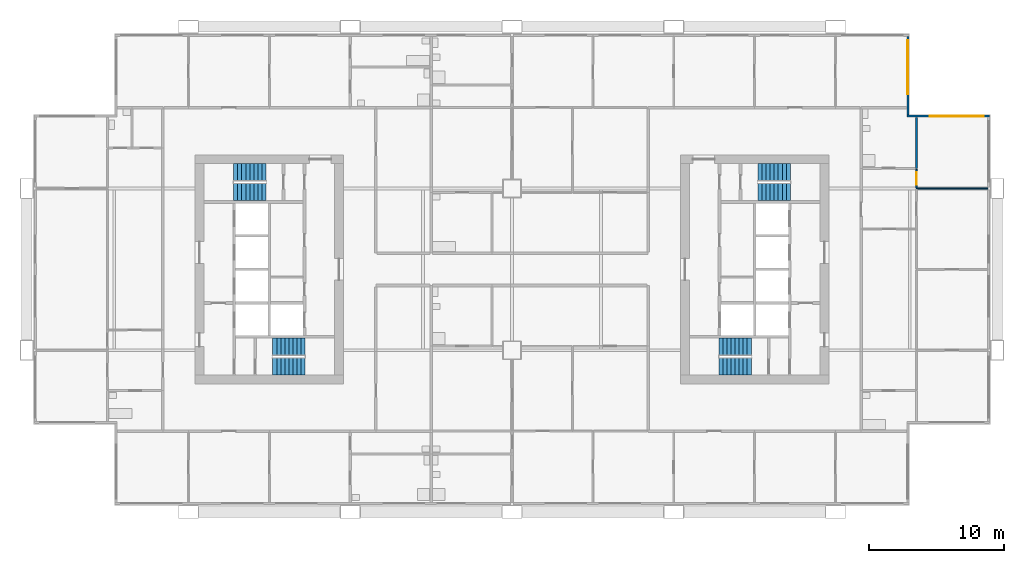
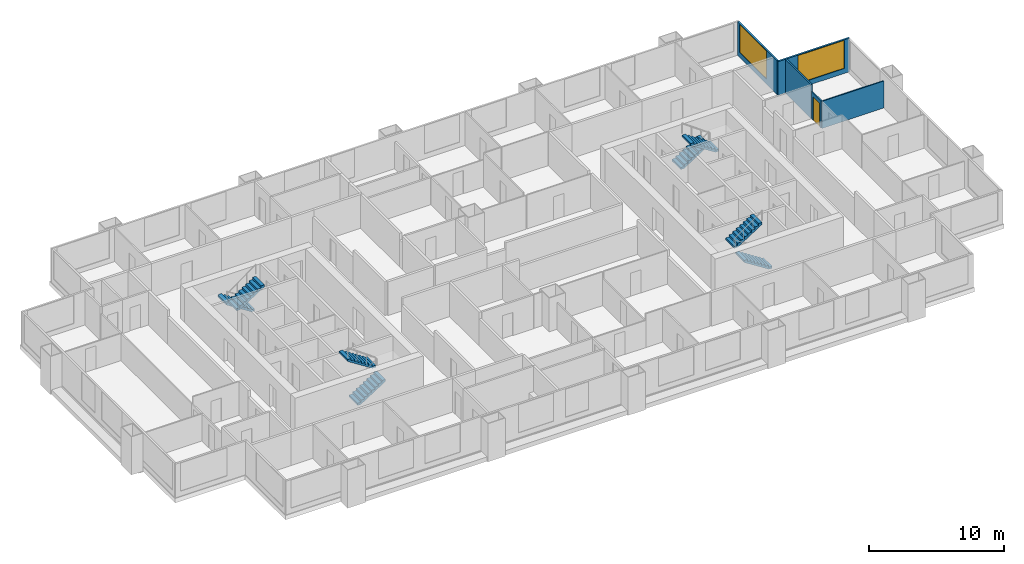
# One storey, part 9 of 11: 8 stair flights, 5 walls, 2 windows, 1 door, 3 openings, 4 elements without a shape of their own.
"""IFC4 building model written with IfcOpenShell, lengths in metres."""

from ifc_helpers import new_model, si_unit, direction, frame, frame_2d, origin, place, context, subcontext, project, spatial, polyline, rectangle, outline, extrude, material, layer, layer_set, type_object, element, fill, aggregate, save


model = new_model("IFC4")

# Units and contexts
model_context = context("Model", 3, precision=1e-05, world=origin(), true_north=direction((0.0, 1.0)))
body_context = subcontext(model_context, "Body", "Model", "MODEL_VIEW")
ifc_project = project(units=[si_unit("LENGTHUNIT", "METRE"), si_unit("AREAUNIT", "SQUARE_METRE"), si_unit("VOLUMEUNIT", "CUBIC_METRE"), si_unit("PLANEANGLEUNIT", "RADIAN"), si_unit("MASSUNIT", "GRAM", prefix="KILO")], contexts=[model_context])

# Site, building, storey
site_placement = place(None, origin())
site = spatial("IfcSite", under=ifc_project, at=site_placement, CompositionType="ELEMENT")
building_placement = place(site_placement, origin())
building = spatial("IfcBuilding", under=site, at=building_placement, Name="Kitamizu Gate Tower and Museum", CompositionType="ELEMENT")
storey_placement = place(building_placement, frame((0.0, 0.0, 110.39990234375)))
storey = spatial("IfcBuildingStorey", under=building, at=storey_placement, Name="L28", CompositionType="ELEMENT", Elevation=110.39990234375)

# Wall
ifc_material_1 = material(Name="Gypsum board on galvanised stud")
ifc_layer_1 = layer(ifc_material_1, 0.10009765625)
ifc_layer_set_1 = layer_set([ifc_layer_1], Name="Gypsum board on galvanised stud")
wall_type_1 = type_object("IfcWallType", Name="Partition 100 NOT RATED", PredefinedType="PARTITIONING", material=ifc_layer_set_1)
wall_1_placement = place(storey_placement, frame((71.280029296875, 36.0, 0.0), z_axis=(0.0, 0.0, 1.0), x_axis=(-1.0, 0.0, 0.0)))
element("IfcWall", 1, at=wall_1_placement, inside=storey, type_object=wall_type_1, Name="Partition L28-073", PredefinedType="PARTITIONING", context=body_context, shape_type="SweptSolid", body=[
    extrude(rectangle(XDim=5.280029296875, YDim=0.10009765625, at=frame_2d((2.64013671875, 0.0))), origin(), (0.0, 0.0, 1.0), 2.4501953125),
])

# Wall, opening, door
wall_2_placement = place(storey_placement, frame((66.0, 37.425048828125, 0.0), z_axis=(0.0, 0.0, 1.0), x_axis=(0.0, -1.0, 0.0)))
wall_2 = element("IfcWall", 2, at=wall_2_placement, inside=storey, type_object=wall_type_1, Name="Partition L28-076", PredefinedType="PARTITIONING", context=body_context, shape_type="SweptSolid", body=[
    extrude(rectangle(XDim=1.375, YDim=0.10009765625, at=frame_2d((0.6875, 0.0))), origin(), (0.0, 0.0, 1.0), 2.4501953125),
])
opening_1_placement = place(wall_2_placement, frame((0.237548828125, 0.0, 0.0)))
opening_1 = element("IfcOpeningElement", 3, at=opening_1_placement, cuts=wall_2, Name="Opening L28-028", PredefinedType="OPENING", context=body_context, shape_type="SweptSolid", body=[
    extrude(rectangle(XDim=0.89990234375, YDim=2.10009765625, at=frame_2d((0.449951171875, 1.050048828125))), frame((0.0, 0.06005859375, 0.0), z_axis=(0.0, -1.0, 0.0), x_axis=(1.0, 0.0, 0.0)), (0.0, 0.0, 1.0), 0.1201171875),
])
ifc_material_2 = material(Name="Timber door set", Category="wood")
door_type = type_object("IfcDoorType", Name="Room door 900", OperationType="NOTDEFINED", PredefinedType="DOOR", material=ifc_material_2)
door_placement = place(opening_1_placement, origin())
door = element("IfcDoor", 4, at=door_placement, inside=storey, type_object=door_type, Name="Door L28-028", OperationType="SINGLE_SWING_LEFT", OverallHeight=2.10009765625, OverallWidth=0.89990234375, PredefinedType="DOOR", context=body_context, shape_type="SweptSolid", body=[
    extrude(rectangle(XDim=0.89990234375, YDim=2.10009765625, at=frame_2d((0.449951171875, 1.050048828125))), frame((0.0, 0.02490234375, 0.0), z_axis=(0.0, -1.0, 0.0), x_axis=(1.0, 0.0, 0.0)), (0.0, 0.0, 1.0), 0.050048828125),
])
fill(opening_1, door)

# Wall
ifc_material_3 = material(Name="Gypsum board on galvanised stud")
ifc_layer_2 = layer(ifc_material_3, 0.14990234375)
ifc_layer_set_2 = layer_set([ifc_layer_2], Name="Gypsum board on galvanised stud")
wall_type_2 = type_object("IfcWallType", Name="Partition 150", PredefinedType="PARTITIONING", material=ifc_layer_set_2)
wall_3_placement = place(storey_placement, frame((66.0, 41.280029296875, 0.0), z_axis=(0.0, 0.0, 1.0), x_axis=(0.0, -1.0, 0.0)))
element("IfcWall", 5, at=wall_3_placement, inside=storey, type_object=wall_type_2, Name="Partition L28-077", PredefinedType="PARTITIONING", context=body_context, shape_type="SweptSolid", body=[
    extrude(rectangle(XDim=3.780029296875, YDim=0.14990234375, at=frame_2d((1.89013671875, 0.0))), origin(), (0.0, 0.0, 1.0), 3.050048828125),
])

# Wall, opening, window
ifc_material_4 = material(Name="Bronze anodised aluminium frame with insulated spandrel and tinted glass", Category="aluminium")
ifc_layer_3 = layer(ifc_material_4, 0.14990234375)
ifc_layer_set_3 = layer_set([ifc_layer_3], Name="Bronze anodised aluminium frame with insulated spandrel and tinted glass")
wall_type_3 = type_object("IfcWallType", Name="WINDOW WALL 150 BRONZE FRAME EI 30", PredefinedType="ELEMENTEDWALL", material=ifc_layer_set_3)
wall_4_placement = place(storey_placement, frame((65.2900390625, 41.364990234375, 0.0), z_axis=(0.0, 0.0, 1.0), x_axis=(1.0, 0.0, 0.0)))
wall_4 = element("IfcWall", 6, at=wall_4_placement, inside=storey, type_object=wall_type_3, Name="Window wall north L28", PredefinedType="ELEMENTEDWALL", context=body_context, shape_type="SweptSolid", body=[
    extrude(rectangle(XDim=6.14990234375, YDim=0.14990234375, at=frame_2d((3.074951171875, 0.0))), origin(), (0.0, 0.0, 1.0), 3.050048828125),
])
opening_2_placement = place(wall_4_placement, frame((1.7099609375, 0.0, 0.449951171875)))
opening_2 = element("IfcOpeningElement", 7, at=opening_2_placement, cuts=wall_4, Name="Opening W16", PredefinedType="OPENING", context=body_context, shape_type="SweptSolid", body=[
    extrude(rectangle(XDim=4.0, YDim=2.550048828125, at=frame_2d((2.0, 1.27490234375))), frame((0.0, 0.0849609375, 0.0), z_axis=(0.0, -1.0, 0.0), x_axis=(1.0, 0.0, 0.0)), (0.0, 0.0, 1.0), 0.169921875),
])
ifc_material_5 = material(Name="Bronze anodised aluminium frame, tinted triple glazing", Category="aluminium")
window_type = type_object("IfcWindowType", Name="WINDOW 4000 x 2550 SILL 450", PartitioningType="SINGLE_PANEL", PredefinedType="WINDOW", material=ifc_material_5)
window_1_placement = place(opening_2_placement, origin())
window_1 = element("IfcWindow", 8, at=window_1_placement, inside=storey, type_object=window_type, Name="Window W16 L28", OverallHeight=2.550048828125, OverallWidth=4.0, PartitioningType="SINGLE_PANEL", PredefinedType="WINDOW", context=body_context, shape_type="SweptSolid", body=[
    extrude(rectangle(XDim=4.0, YDim=2.550048828125, at=frame_2d((2.0, 1.27490234375))), frame((0.0, 0.030029296875, 0.0), z_axis=(0.0, -1.0, 0.0), x_axis=(1.0, 0.0, 0.0)), (0.0, 0.0, 1.0), 0.06005859375),
])
fill(opening_2, window_1)

wall_5_placement = place(storey_placement, frame((65.364990234375, 41.43994140625, 0.0), z_axis=(0.0, 0.0, 1.0), x_axis=(0.0, 1.0, 0.0)))
wall_5 = element("IfcWall", 9, at=wall_5_placement, inside=storey, type_object=wall_type_3, Name="Window wall east L28", PredefinedType="ELEMENTEDWALL", context=body_context, shape_type="SweptSolid", body=[
    extrude(rectangle(XDim=5.85009765625, YDim=0.14990234375, at=frame_2d((2.925048828125, 0.0))), origin(), (0.0, 0.0, 1.0), 3.050048828125),
])
opening_3_placement = place(wall_5_placement, frame((1.56005859375, 0.0, 0.449951171875)))
opening_3 = element("IfcOpeningElement", 10, at=opening_3_placement, cuts=wall_5, Name="Opening W16", PredefinedType="OPENING", context=body_context, shape_type="SweptSolid", body=[
    extrude(rectangle(XDim=4.0, YDim=2.550048828125, at=frame_2d((2.0, 1.27490234375))), frame((0.0, 0.0849609375, 0.0), z_axis=(0.0, -1.0, 0.0), x_axis=(1.0, 0.0, 0.0)), (0.0, 0.0, 1.0), 0.169921875),
])
window_2_placement = place(opening_3_placement, origin())
window_2 = element("IfcWindow", 11, at=window_2_placement, inside=storey, type_object=window_type, Name="Window W16 L28", OverallHeight=2.550048828125, OverallWidth=4.0, PartitioningType="SINGLE_PANEL", PredefinedType="WINDOW", context=body_context, shape_type="SweptSolid", body=[
    extrude(rectangle(XDim=4.0, YDim=2.550048828125, at=frame_2d((2.0, 1.27490234375))), frame((0.0, 0.030029296875, 0.0), z_axis=(0.0, -1.0, 0.0), x_axis=(1.0, 0.0, 0.0)), (0.0, 0.0, 1.0), 0.06005859375),
])
fill(opening_3, window_2)

# Stair, stair flights
ifc_material_6 = material(Name="Concrete Fc42", Category="concrete")
stair_type = type_object("IfcStairType", Name="Exit stair 1275 wide 192 rise 300 going", PredefinedType="HALF_TURN_STAIR", material=ifc_material_6)
stair_1_placement = place(storey_placement, origin())
stair_1 = element("IfcStair", 12, at=stair_1_placement, inside=storey, type_object=stair_type, Name="Exit stair ST1", PredefinedType="HALF_TURN_STAIR")
ifc_material_7 = material(Name="Concrete Fc42", Category="concrete")
stair_flight_type = type_object("IfcStairFlightType", Name="Stair flight 1275 wide 192 rise 300 going", PredefinedType="STRAIGHT", material=ifc_material_7)
stair_flight_1_placement = place(storey_placement, frame((18.25, 22.78759765625, 0.0), z_axis=(0.0, 0.0, 1.0), x_axis=(1.0, 0.0, 0.0)))
stair_flight_1 = element("IfcStairFlight", 13, at=stair_flight_1_placement, type_object=stair_flight_type, Name="ST1 flight 1", NumberOfRisers=9, NumberOfTreads=8, PredefinedType="STRAIGHT", RiserHeight=0.191666667, TreadLength=0.3, context=body_context, shape_type="SweptSolid", body=[
    extrude(outline(polyline([(0.0, 0.0), (0.0, 0.191650390625), (0.300048828125, 0.191650390625), (0.300048828125, 0.38330078125), (0.60009765625, 0.38330078125), (0.60009765625, 0.574951171875), (0.89990234375, 0.574951171875), (0.89990234375, 0.7666015625), (1.199951171875, 0.7666015625), (1.199951171875, 0.958251953125), (1.5, 0.958251953125), (1.5, 1.14990234375), (1.800048828125, 1.14990234375), (1.800048828125, 1.341552734375), (2.10009765625, 1.341552734375), (2.10009765625, 1.533447265625), (2.39990234375, 1.533447265625), (2.39990234375, 1.72509765625), (2.39990234375, 1.35546875), (0.2783203125, 0.0), (0.0, 0.0)])), frame((0.0, 0.637451171875, 0.0), z_axis=(0.0, -1.0, 0.0), x_axis=(1.0, 0.0, 0.0)), (0.0, 0.0, 1.0), 1.27490234375),
])
stair_flight_2_placement = place(storey_placement, frame((20.64990234375, 24.262451171875, 1.72509765625), z_axis=(0.0, 0.0, 1.0), x_axis=(-1.0, 0.0, 0.0)))
stair_flight_2 = element("IfcStairFlight", 14, at=stair_flight_2_placement, type_object=stair_flight_type, Name="ST1 flight 2", NumberOfRisers=9, NumberOfTreads=8, PredefinedType="STRAIGHT", RiserHeight=0.191666667, TreadLength=0.3, context=body_context, shape_type="SweptSolid", body=[
    extrude(outline(polyline([(0.0, 0.0), (0.0, 0.191650390625), (0.300048828125, 0.191650390625), (0.300048828125, 0.38330078125), (0.60009765625, 0.38330078125), (0.60009765625, 0.574951171875), (0.89990234375, 0.574951171875), (0.89990234375, 0.7666015625), (1.199951171875, 0.7666015625), (1.199951171875, 0.958251953125), (1.5, 0.958251953125), (1.5, 1.14990234375), (1.800048828125, 1.14990234375), (1.800048828125, 1.341552734375), (2.10009765625, 1.341552734375), (2.10009765625, 1.533447265625), (2.39990234375, 1.533447265625), (2.39990234375, 1.72509765625), (2.39990234375, 1.35546875), (0.2783203125, 0.0), (0.0, 0.0)])), frame((0.0, 0.637451171875, 0.0), z_axis=(0.0, -1.0, 0.0), x_axis=(1.0, 0.0, 0.0)), (0.0, 0.0, 1.0), 1.27490234375),
])
aggregate(stair_1, [stair_flight_1, stair_flight_2])

stair_2_placement = place(storey_placement, origin())
stair_2 = element("IfcStair", 15, at=stair_2_placement, inside=storey, type_object=stair_type, Name="Exit stair ST2", PredefinedType="HALF_TURN_STAIR")
stair_flight_3_placement = place(storey_placement, frame((17.75, 37.21240234375, 0.0), z_axis=(0.0, 0.0, 1.0), x_axis=(-1.0, 0.0, 0.0)))
stair_flight_3 = element("IfcStairFlight", 16, at=stair_flight_3_placement, type_object=stair_flight_type, Name="ST2 flight 1", NumberOfRisers=9, NumberOfTreads=8, PredefinedType="STRAIGHT", RiserHeight=0.191666667, TreadLength=0.3, context=body_context, shape_type="SweptSolid", body=[
    extrude(outline(polyline([(0.0, 0.0), (0.0, 0.191650390625), (0.300048828125, 0.191650390625), (0.300048828125, 0.38330078125), (0.60009765625, 0.38330078125), (0.60009765625, 0.574951171875), (0.89990234375, 0.574951171875), (0.89990234375, 0.7666015625), (1.199951171875, 0.7666015625), (1.199951171875, 0.958251953125), (1.5, 0.958251953125), (1.5, 1.14990234375), (1.800048828125, 1.14990234375), (1.800048828125, 1.341552734375), (2.10009765625, 1.341552734375), (2.10009765625, 1.533447265625), (2.39990234375, 1.533447265625), (2.39990234375, 1.72509765625), (2.39990234375, 1.35546875), (0.2783203125, 0.0), (0.0, 0.0)])), frame((0.0, 0.637451171875, 0.0), z_axis=(0.0, -1.0, 0.0), x_axis=(1.0, 0.0, 0.0)), (0.0, 0.0, 1.0), 1.27490234375),
])
stair_flight_4_placement = place(storey_placement, frame((15.35009765625, 35.737548828125, 1.72509765625), z_axis=(0.0, 0.0, 1.0), x_axis=(1.0, 0.0, 0.0)))
stair_flight_4 = element("IfcStairFlight", 17, at=stair_flight_4_placement, type_object=stair_flight_type, Name="ST2 flight 2", NumberOfRisers=9, NumberOfTreads=8, PredefinedType="STRAIGHT", RiserHeight=0.191666667, TreadLength=0.3, context=body_context, shape_type="SweptSolid", body=[
    extrude(outline(polyline([(0.0, 0.0), (0.0, 0.191650390625), (0.300048828125, 0.191650390625), (0.300048828125, 0.38330078125), (0.60009765625, 0.38330078125), (0.60009765625, 0.574951171875), (0.89990234375, 0.574951171875), (0.89990234375, 0.7666015625), (1.199951171875, 0.7666015625), (1.199951171875, 0.958251953125), (1.5, 0.958251953125), (1.5, 1.14990234375), (1.800048828125, 1.14990234375), (1.800048828125, 1.341552734375), (2.10009765625, 1.341552734375), (2.10009765625, 1.533447265625), (2.39990234375, 1.533447265625), (2.39990234375, 1.72509765625), (2.39990234375, 1.35546875), (0.2783203125, 0.0), (0.0, 0.0)])), frame((0.0, 0.637451171875, 0.0), z_axis=(0.0, -1.0, 0.0), x_axis=(1.0, 0.0, 0.0)), (0.0, 0.0, 1.0), 1.27490234375),
])
aggregate(stair_2, [stair_flight_3, stair_flight_4])

stair_3_placement = place(storey_placement, origin())
stair_3 = element("IfcStair", 18, at=stair_3_placement, inside=storey, type_object=stair_type, Name="Exit stair ST3", PredefinedType="HALF_TURN_STAIR")
stair_flight_5_placement = place(storey_placement, frame((53.75, 22.78759765625, 0.0), z_axis=(0.0, 0.0, 1.0), x_axis=(-1.0, 0.0, 0.0)))
stair_flight_5 = element("IfcStairFlight", 19, at=stair_flight_5_placement, type_object=stair_flight_type, Name="ST3 flight 1", NumberOfRisers=9, NumberOfTreads=8, PredefinedType="STRAIGHT", RiserHeight=0.191666667, TreadLength=0.3, context=body_context, shape_type="SweptSolid", body=[
    extrude(outline(polyline([(0.0, 0.0), (0.0, 0.191650390625), (0.300048828125, 0.191650390625), (0.300048828125, 0.38330078125), (0.60009765625, 0.38330078125), (0.60009765625, 0.574951171875), (0.89990234375, 0.574951171875), (0.89990234375, 0.7666015625), (1.199951171875, 0.7666015625), (1.199951171875, 0.958251953125), (1.5, 0.958251953125), (1.5, 1.14990234375), (1.800048828125, 1.14990234375), (1.800048828125, 1.341552734375), (2.10009765625, 1.341552734375), (2.10009765625, 1.533447265625), (2.39990234375, 1.533447265625), (2.39990234375, 1.72509765625), (2.39990234375, 1.35546875), (0.2783203125, 0.0), (0.0, 0.0)])), frame((0.0, 0.637451171875, 0.0), z_axis=(0.0, -1.0, 0.0), x_axis=(1.0, 0.0, 0.0)), (0.0, 0.0, 1.0), 1.27490234375),
])
stair_flight_6_placement = place(storey_placement, frame((51.35009765625, 24.262451171875, 1.72509765625), z_axis=(0.0, 0.0, 1.0), x_axis=(1.0, 0.0, 0.0)))
stair_flight_6 = element("IfcStairFlight", 20, at=stair_flight_6_placement, type_object=stair_flight_type, Name="ST3 flight 2", NumberOfRisers=9, NumberOfTreads=8, PredefinedType="STRAIGHT", RiserHeight=0.191666667, TreadLength=0.3, context=body_context, shape_type="SweptSolid", body=[
    extrude(outline(polyline([(0.0, 0.0), (0.0, 0.191650390625), (0.300048828125, 0.191650390625), (0.300048828125, 0.38330078125), (0.60009765625, 0.38330078125), (0.60009765625, 0.574951171875), (0.89990234375, 0.574951171875), (0.89990234375, 0.7666015625), (1.199951171875, 0.7666015625), (1.199951171875, 0.958251953125), (1.5, 0.958251953125), (1.5, 1.14990234375), (1.800048828125, 1.14990234375), (1.800048828125, 1.341552734375), (2.10009765625, 1.341552734375), (2.10009765625, 1.533447265625), (2.39990234375, 1.533447265625), (2.39990234375, 1.72509765625), (2.39990234375, 1.35546875), (0.2783203125, 0.0), (0.0, 0.0)])), frame((0.0, 0.637451171875, 0.0), z_axis=(0.0, -1.0, 0.0), x_axis=(1.0, 0.0, 0.0)), (0.0, 0.0, 1.0), 1.27490234375),
])
aggregate(stair_3, [stair_flight_5, stair_flight_6])

stair_4_placement = place(storey_placement, origin())
stair_4 = element("IfcStair", 21, at=stair_4_placement, inside=storey, type_object=stair_type, Name="Exit stair ST4", PredefinedType="HALF_TURN_STAIR")
stair_flight_7_placement = place(storey_placement, frame((54.25, 37.21240234375, 0.0), z_axis=(0.0, 0.0, 1.0), x_axis=(1.0, 0.0, 0.0)))
stair_flight_7 = element("IfcStairFlight", 22, at=stair_flight_7_placement, type_object=stair_flight_type, Name="ST4 flight 1", NumberOfRisers=9, NumberOfTreads=8, PredefinedType="STRAIGHT", RiserHeight=0.191666667, TreadLength=0.3, context=body_context, shape_type="SweptSolid", body=[
    extrude(outline(polyline([(0.0, 0.0), (0.0, 0.191650390625), (0.300048828125, 0.191650390625), (0.300048828125, 0.38330078125), (0.60009765625, 0.38330078125), (0.60009765625, 0.574951171875), (0.89990234375, 0.574951171875), (0.89990234375, 0.7666015625), (1.199951171875, 0.7666015625), (1.199951171875, 0.958251953125), (1.5, 0.958251953125), (1.5, 1.14990234375), (1.800048828125, 1.14990234375), (1.800048828125, 1.341552734375), (2.10009765625, 1.341552734375), (2.10009765625, 1.533447265625), (2.39990234375, 1.533447265625), (2.39990234375, 1.72509765625), (2.39990234375, 1.35546875), (0.2783203125, 0.0), (0.0, 0.0)])), frame((0.0, 0.637451171875, 0.0), z_axis=(0.0, -1.0, 0.0), x_axis=(1.0, 0.0, 0.0)), (0.0, 0.0, 1.0), 1.27490234375),
])
stair_flight_8_placement = place(storey_placement, frame((56.64990234375, 35.737548828125, 1.72509765625), z_axis=(0.0, 0.0, 1.0), x_axis=(-1.0, 0.0, 0.0)))
stair_flight_8 = element("IfcStairFlight", 23, at=stair_flight_8_placement, type_object=stair_flight_type, Name="ST4 flight 2", NumberOfRisers=9, NumberOfTreads=8, PredefinedType="STRAIGHT", RiserHeight=0.191666667, TreadLength=0.3, context=body_context, shape_type="SweptSolid", body=[
    extrude(outline(polyline([(0.0, 0.0), (0.0, 0.191650390625), (0.300048828125, 0.191650390625), (0.300048828125, 0.38330078125), (0.60009765625, 0.38330078125), (0.60009765625, 0.574951171875), (0.89990234375, 0.574951171875), (0.89990234375, 0.7666015625), (1.199951171875, 0.7666015625), (1.199951171875, 0.958251953125), (1.5, 0.958251953125), (1.5, 1.14990234375), (1.800048828125, 1.14990234375), (1.800048828125, 1.341552734375), (2.10009765625, 1.341552734375), (2.10009765625, 1.533447265625), (2.39990234375, 1.533447265625), (2.39990234375, 1.72509765625), (2.39990234375, 1.35546875), (0.2783203125, 0.0), (0.0, 0.0)])), frame((0.0, 0.637451171875, 0.0), z_axis=(0.0, -1.0, 0.0), x_axis=(1.0, 0.0, 0.0)), (0.0, 0.0, 1.0), 1.27490234375),
])
aggregate(stair_4, [stair_flight_7, stair_flight_8])

save(model, "model.ifc")
